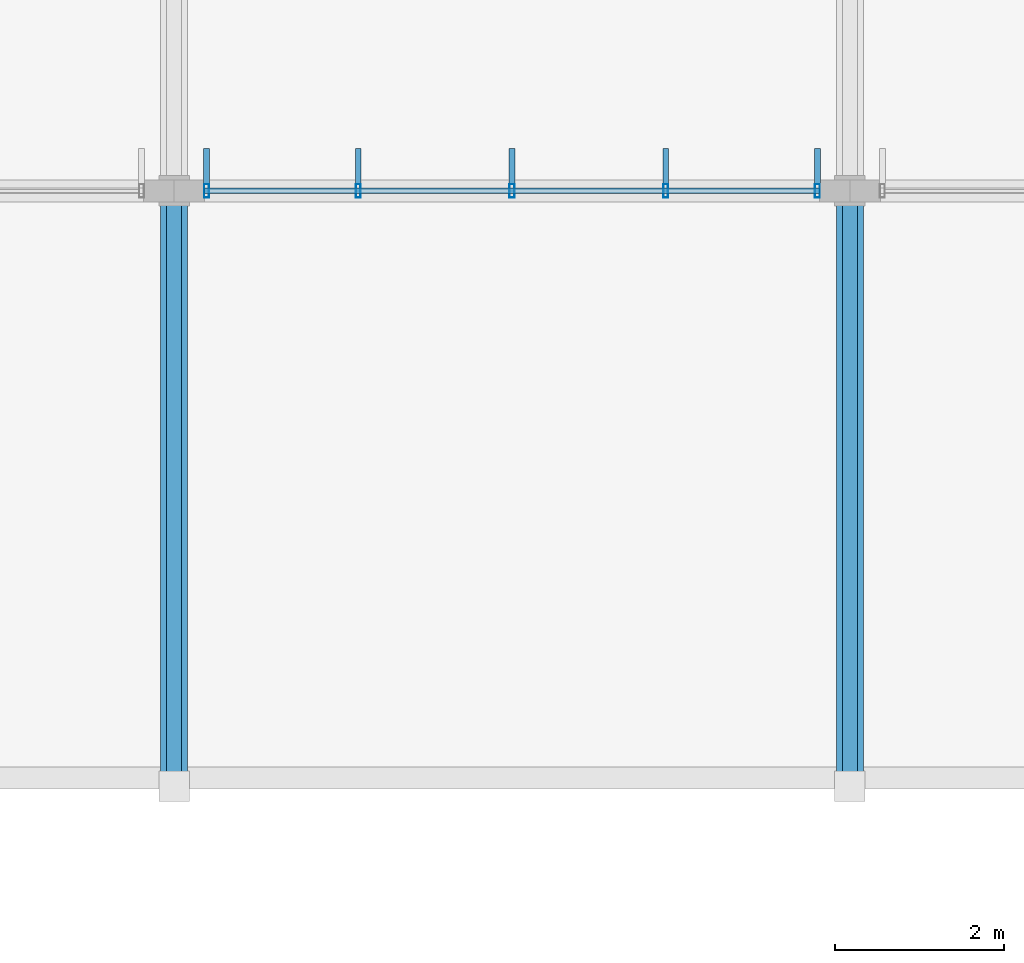
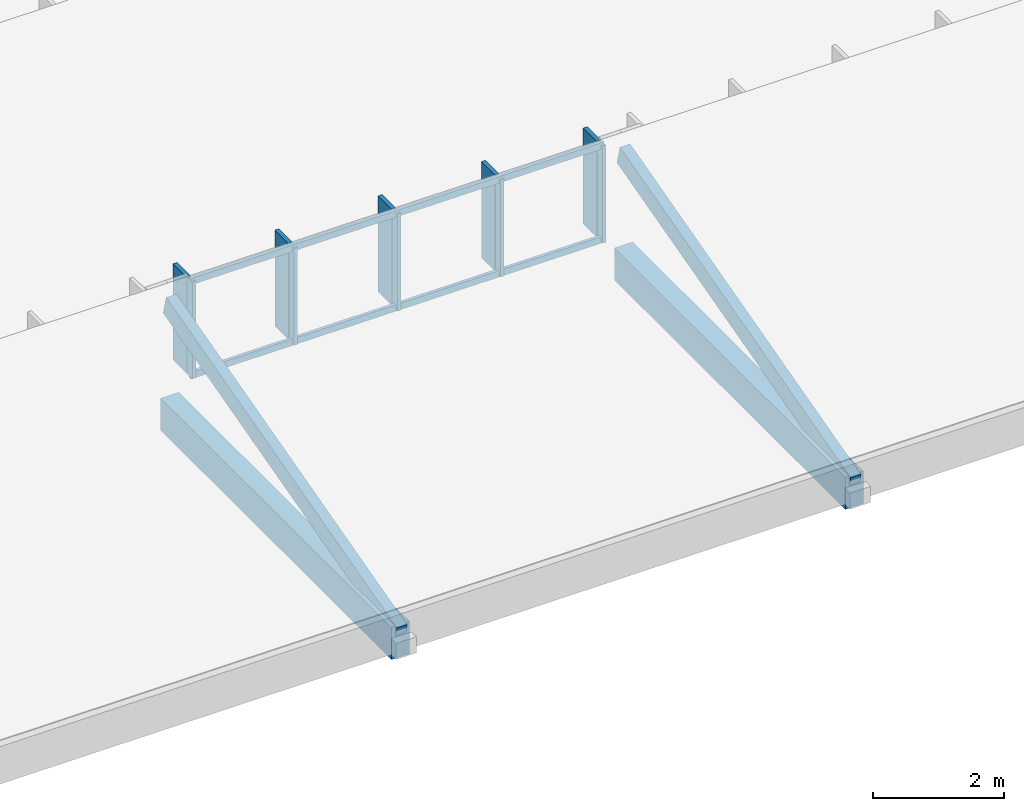
# One storey, part 9 of 94: 16 members, 1 element without a shape of its own.
"""IFC4 building model written with IfcOpenShell, lengths in metres."""

from ifc_helpers import new_model, si_unit, direction, frame, origin, origin_2d, place, context, subcontext, project, spatial, rectangle, hollow_rectangle, extrude, material, material_profile, profile_set, type_object, element, aggregate, save


model = new_model("IFC4")

# Units and contexts
model_context = context("Model", 3, precision=1e-05, world=origin(), true_north=direction((0.0, 1.0)))
body_context = subcontext(model_context, "Body", "Model", "MODEL_VIEW")
ifc_project = project(units=[si_unit("LENGTHUNIT", "METRE"), si_unit("AREAUNIT", "SQUARE_METRE"), si_unit("VOLUMEUNIT", "CUBIC_METRE"), si_unit("PLANEANGLEUNIT", "RADIAN"), si_unit("MASSUNIT", "GRAM", prefix="KILO")], contexts=[model_context])

# Site, building, storey
site_placement = place(None, origin())
site = spatial("IfcSite", under=ifc_project, at=site_placement, CompositionType="ELEMENT")
building_placement = place(site_placement, origin())
building = spatial("IfcBuilding", under=site, at=building_placement, Name="Chiffa Square Polytechnic", CompositionType="ELEMENT")
storey_placement = place(building_placement, frame((0.0, 0.0, 18.0)))
storey = spatial("IfcBuildingStorey", under=building, at=storey_placement, Name="L04", CompositionType="ELEMENT", Elevation=18.0)

# Curtain wall, members
ifc_material_1 = material(Name="Aluminium EN AW-6060 T66 and glulam shading", Category="wood")
curtain_wall_type = type_object("IfcCurtainWallType", Name="CW-VERT-600X380", PredefinedType="USERDEFINED", material=ifc_material_1)
curtain_wall_placement = place(storey_placement, origin())
curtain_wall = element("IfcCurtainWall", 1, at=curtain_wall_placement, inside=storey, type_object=curtain_wall_type, Name="Curtain wall CW-V6-SAW1-3", ObjectType="CURTAIN WALL", PredefinedType="USERDEFINED")
ifc_material_2 = material(Name="Aluminium EN AW-6060 T66", Category="aluminium")
ifc_material_profile_1 = material_profile(ifc_material_2, hollow_rectangle(XDim=0.06005859375, YDim=0.159912109375, WallThickness=0.00390625, at=origin_2d()), Name="ALU 60x160x4")
ifc_profile_set_1 = profile_set([ifc_material_profile_1], Name="Aluminium EN AW-6060 T66")
member_type_1 = type_object("IfcMemberType", Name="CWM-ALU-65X150", PredefinedType="MULLION", material=ifc_profile_set_1)
member_1_placement = place(storey_placement, frame((23.614990234375, 43.800048828125, 0.699951171875), z_axis=(0.0, 0.0, 1.0), x_axis=(1.0, 0.0, 0.0)))
member_1 = element("IfcMember", 2, at=member_1_placement, type_object=member_type_1, Name="Curtain wall mullion CW-V6-SAW1-3-M00", PredefinedType="MULLION", context=body_context, shape_type="SweptSolid", body=[
    extrude(hollow_rectangle(XDim=0.06005859375, YDim=0.159912109375, WallThickness=0.00390625, at=origin_2d()), origin(), (0.0, 0.0, 1.0), 1.81201171875),
])
member_2_placement = place(storey_placement, frame((21.820068359375, 43.800048828125, 0.699951171875), z_axis=(0.0, 0.0, 1.0), x_axis=(1.0, 0.0, 0.0)))
member_2 = element("IfcMember", 3, at=member_2_placement, type_object=member_type_1, Name="Curtain wall mullion CW-V6-SAW1-3-M01", PredefinedType="MULLION", context=body_context, shape_type="SweptSolid", body=[
    extrude(hollow_rectangle(XDim=0.06005859375, YDim=0.159912109375, WallThickness=0.00390625, at=origin_2d()), origin(), (0.0, 0.0, 1.0), 1.81201171875),
])
member_3_placement = place(storey_placement, frame((20.0, 43.800048828125, 0.699951171875), z_axis=(0.0, 0.0, 1.0), x_axis=(1.0, 0.0, 0.0)))
member_3 = element("IfcMember", 4, at=member_3_placement, type_object=member_type_1, Name="Curtain wall mullion CW-V6-SAW1-3-M02", PredefinedType="MULLION", context=body_context, shape_type="SweptSolid", body=[
    extrude(hollow_rectangle(XDim=0.06005859375, YDim=0.159912109375, WallThickness=0.00390625, at=origin_2d()), origin(), (0.0, 0.0, 1.0), 1.81201171875),
])
member_4_placement = place(storey_placement, frame((18.179931640625, 43.800048828125, 0.699951171875), z_axis=(0.0, 0.0, 1.0), x_axis=(1.0, 0.0, 0.0)))
member_4 = element("IfcMember", 5, at=member_4_placement, type_object=member_type_1, Name="Curtain wall mullion CW-V6-SAW1-3-M03", PredefinedType="MULLION", context=body_context, shape_type="SweptSolid", body=[
    extrude(hollow_rectangle(XDim=0.06005859375, YDim=0.159912109375, WallThickness=0.00390625, at=origin_2d()), origin(), (0.0, 0.0, 1.0), 1.81201171875),
])
member_5_placement = place(storey_placement, frame((16.385009765625, 43.800048828125, 0.699951171875), z_axis=(0.0, 0.0, 1.0), x_axis=(1.0, 0.0, 0.0)))
member_5 = element("IfcMember", 6, at=member_5_placement, type_object=member_type_1, Name="Curtain wall mullion CW-V6-SAW1-3-M04", PredefinedType="MULLION", context=body_context, shape_type="SweptSolid", body=[
    extrude(hollow_rectangle(XDim=0.06005859375, YDim=0.159912109375, WallThickness=0.00390625, at=origin_2d()), origin(), (0.0, 0.0, 1.0), 1.81201171875),
])
ifc_material_3 = material(Name="Glulam GL28h", Category="wood")
ifc_material_profile_2 = material_profile(ifc_material_3, rectangle(XDim=0.070068359375, YDim=0.419921875, at=origin_2d()), Name="GL28h 70x420")
ifc_profile_set_2 = profile_set([ifc_material_profile_2], Name="Glulam GL28h")
member_type_2 = type_object("IfcMemberType", Name="CWM-GL-70X420", PredefinedType="MULLION", material=ifc_profile_set_2)
member_6_placement = place(storey_placement, frame((23.614990234375, 44.092041015625, 0.7099609375), z_axis=(0.0, 0.0, 1.0), x_axis=(-1.0, 0.0, 0.0)))
member_6 = element("IfcMember", 7, at=member_6_placement, type_object=member_type_2, Name="Exterior glulam solar fin CW-V6-SAW1-3-FN00", PredefinedType="MULLION", context=body_context, shape_type="SweptSolid", body=[
    extrude(rectangle(XDim=0.070068359375, YDim=0.419921875, at=origin_2d()), origin(), (0.0, 0.0, 1.0), 1.7919921875),
])
member_7_placement = place(storey_placement, frame((21.820068359375, 44.092041015625, 0.7099609375), z_axis=(0.0, 0.0, 1.0), x_axis=(-1.0, 0.0, 0.0)))
member_7 = element("IfcMember", 8, at=member_7_placement, type_object=member_type_2, Name="Exterior glulam solar fin CW-V6-SAW1-3-FN01", PredefinedType="MULLION", context=body_context, shape_type="SweptSolid", body=[
    extrude(rectangle(XDim=0.070068359375, YDim=0.419921875, at=origin_2d()), origin(), (0.0, 0.0, 1.0), 1.7919921875),
])
member_8_placement = place(storey_placement, frame((20.0, 44.092041015625, 0.7099609375), z_axis=(0.0, 0.0, 1.0), x_axis=(-1.0, 0.0, 0.0)))
member_8 = element("IfcMember", 9, at=member_8_placement, type_object=member_type_2, Name="Exterior glulam solar fin CW-V6-SAW1-3-FN02", PredefinedType="MULLION", context=body_context, shape_type="SweptSolid", body=[
    extrude(rectangle(XDim=0.070068359375, YDim=0.419921875, at=origin_2d()), origin(), (0.0, 0.0, 1.0), 1.7919921875),
])
member_9_placement = place(storey_placement, frame((18.179931640625, 44.092041015625, 0.7099609375), z_axis=(0.0, 0.0, 1.0), x_axis=(-1.0, 0.0, 0.0)))
member_9 = element("IfcMember", 10, at=member_9_placement, type_object=member_type_2, Name="Exterior glulam solar fin CW-V6-SAW1-3-FN03", PredefinedType="MULLION", context=body_context, shape_type="SweptSolid", body=[
    extrude(rectangle(XDim=0.070068359375, YDim=0.419921875, at=origin_2d()), origin(), (0.0, 0.0, 1.0), 1.7919921875),
])
member_10_placement = place(storey_placement, frame((16.385009765625, 44.092041015625, 0.7099609375), z_axis=(0.0, 0.0, 1.0), x_axis=(-1.0, 0.0, 0.0)))
member_10 = element("IfcMember", 11, at=member_10_placement, type_object=member_type_2, Name="Exterior glulam solar fin CW-V6-SAW1-3-FN04", PredefinedType="MULLION", context=body_context, shape_type="SweptSolid", body=[
    extrude(rectangle(XDim=0.070068359375, YDim=0.419921875, at=origin_2d()), origin(), (0.0, 0.0, 1.0), 1.7919921875),
])
ifc_material_profile_3 = material_profile(ifc_material_2, hollow_rectangle(XDim=0.06005859375, YDim=0.1201171875, WallThickness=0.00390625, at=origin_2d()), Name="ALU 60x120x4")
ifc_profile_set_3 = profile_set([ifc_material_profile_3], Name="Aluminium EN AW-6060 T66")
member_type_3 = type_object("IfcMemberType", Name="CWT-ALU-65X120", PredefinedType="USERDEFINED", material=ifc_profile_set_3)
member_11_placement = place(storey_placement, frame((23.64208984375, 43.800048828125, 0.72998046875), z_axis=(-1.0, 0.0, 0.0), x_axis=(0.0, -1.0, 0.0)))
member_11 = element("IfcMember", 12, at=member_11_placement, type_object=member_type_3, Name="Curtain wall transom CW-V6-SAW1-3-T01", ObjectType="TRANSOM", PredefinedType="USERDEFINED", context=body_context, shape_type="SweptSolid", body=[
    extrude(hollow_rectangle(XDim=0.06005859375, YDim=0.1201171875, WallThickness=0.00390625, at=origin_2d()), origin(), (0.0, 0.0, 1.0), 7.2841796875),
])
member_12_placement = place(storey_placement, frame((23.64208984375, 43.800048828125, 2.48193359375), z_axis=(-1.0, 0.0, 0.0), x_axis=(0.0, -1.0, 0.0)))
member_12 = element("IfcMember", 13, at=member_12_placement, type_object=member_type_3, Name="Curtain wall transom CW-V6-SAW1-3-T02", ObjectType="TRANSOM", PredefinedType="USERDEFINED", context=body_context, shape_type="SweptSolid", body=[
    extrude(hollow_rectangle(XDim=0.06005859375, YDim=0.1201171875, WallThickness=0.00390625, at=origin_2d()), origin(), (0.0, 0.0, 1.0), 7.2841796875),
])
aggregate(curtain_wall, [member_1, member_6, member_2, member_7, member_3, member_8, member_4, member_9, member_5, member_10, member_11, member_12])

# Members
ifc_material_4 = material(Name="Glulam GL32c", Category="wood")
ifc_material_profile_4 = material_profile(ifc_material_4, rectangle(XDim=0.320068359375, YDim=0.60009765625, at=origin_2d()), Name="GL32c 320x600")
ifc_profile_set_4 = profile_set([ifc_material_profile_4], Name="Glulam GL32c")
member_type_4 = type_object("IfcMemberType", Name="MEM-CHORD-GL320", PredefinedType="CHORD", material=ifc_profile_set_4)
for number, where, z_axis, x_axis, name in (
    (14, (16.0, 36.75, 0.179931640625), (0.0, 1.0, 0.0), (-1.0, 0.0, 0.0), "Studio sawtooth tie chord TCB-V6-SAW-003"),
    (15, (24.0, 36.75, 0.179931640625), (0.0, 1.0, 0.0), (-1.0, 0.0, 0.0), "Studio sawtooth tie chord TCB-V6-SAW-004"),
):
    element("IfcMember", number, at=place(storey_placement, frame(where, z_axis=z_axis, x_axis=x_axis)), inside=storey, type_object=member_type_4, Name=name, PredefinedType="CHORD", context=body_context, shape_type="SweptSolid", body=[
        extrude(rectangle(XDim=0.320068359375, YDim=0.60009765625, at=origin_2d()), origin(), (0.0, 0.0, 1.0), 7.050048828125),
    ])
ifc_material_profile_5 = material_profile(ifc_material_3, rectangle(XDim=0.179931640625, YDim=0.360107421875, at=origin_2d()), Name="GL28h 180x360")
ifc_profile_set_5 = profile_set([ifc_material_profile_5], Name="Glulam GL28h")
member_type_5 = type_object("IfcMemberType", Name="MEM-RFT-GL180", PredefinedType="RAFTER", material=ifc_profile_set_5)
for number, where, z_axis, x_axis, name in (
    (16, (16.0, 36.75, 0.300048828125), (0.0, 0.96593058294, 0.258801292385), (-1.0, 0.0, 0.0), "Studio sawtooth glulam rafter RF-V6-L04-003"),
    (17, (24.0, 36.75, 0.300048828125), (0.0, 0.96593058294, 0.258801292385), (-1.0, 0.0, 0.0), "Studio sawtooth glulam rafter RF-V6-L04-004"),
):
    element("IfcMember", number, at=place(storey_placement, frame(where, z_axis=z_axis, x_axis=x_axis)), inside=storey, type_object=member_type_5, Name=name, PredefinedType="RAFTER", context=body_context, shape_type="SweptSolid", body=[
        extrude(rectangle(XDim=0.179931640625, YDim=0.360107421875, at=origin_2d()), origin(), (0.0, 0.0, 1.0), 7.298828125),
    ])

save(model, "model.ifc")
